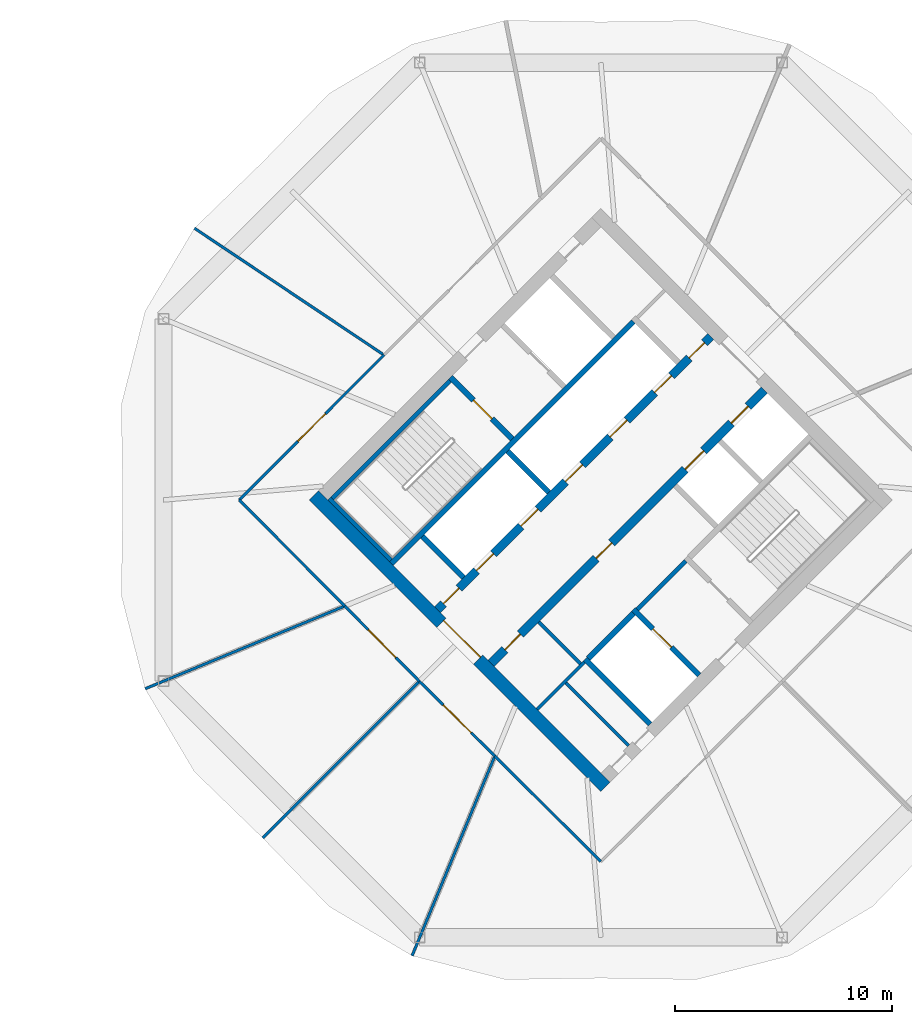
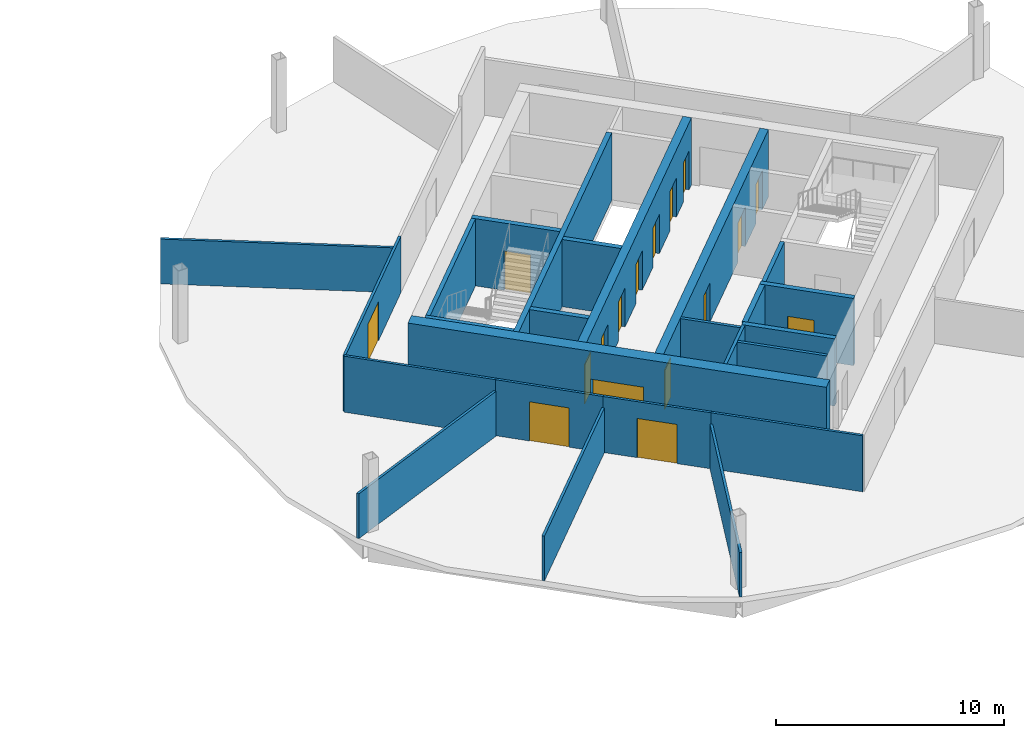
# One storey, part 7 of 10: 25 walls, 17 doors, 17 openings.
"""IFC4 building model written with IfcOpenShell, lengths in metres."""

from ifc_helpers import new_model, si_unit, direction, frame, frame_2d, origin, place, context, subcontext, project, spatial, rectangle, extrude, material, layer, layer_set, type_object, element, fill, save


model = new_model("IFC4")

# Units and contexts
model_context = context("Model", 3, precision=1e-05, world=origin(), true_north=direction((0.0, 1.0)))
body_context = subcontext(model_context, "Body", "Model", "MODEL_VIEW")
ifc_project = project(units=[si_unit("LENGTHUNIT", "METRE"), si_unit("AREAUNIT", "SQUARE_METRE"), si_unit("VOLUMEUNIT", "CUBIC_METRE"), si_unit("PLANEANGLEUNIT", "RADIAN"), si_unit("MASSUNIT", "GRAM", prefix="KILO")], contexts=[model_context])

# Site, building, storey
site_placement = place(None, origin())
site = spatial("IfcSite", under=ifc_project, at=site_placement, CompositionType="ELEMENT")
building_placement = place(site_placement, origin())
building = spatial("IfcBuilding", under=site, at=building_placement, Name="Ogive Gate Towers", CompositionType="ELEMENT")
storey_placement = place(building_placement, frame((0.0, 0.0, 169.5)))
storey = spatial("IfcBuildingStorey", under=building, at=storey_placement, Name="L40", CompositionType="ELEMENT", Elevation=169.5)

# Wall
ifc_material_1 = material(Name="Masonry blockwork", Category="masonry")
ifc_layer_1 = layer(ifc_material_1, 0.199951171875)
ifc_layer_set_1 = layer_set([ifc_layer_1], Name="Blockwork wall 200 mm")
wall_type_1 = type_object("IfcWallType", Name="Blockwork wall 200 mm", PredefinedType="PARTITIONING", material=ifc_layer_set_1)
wall_1_placement = place(storey_placement, frame((37.679443359375, -5.0380859375, 0.0), z_axis=(0.0, 0.0, 1.0), x_axis=(0.707106781187, 0.707106781187, 0.0)))
element("IfcWall", 1, at=wall_1_placement, inside=storey, type_object=wall_type_1, Name="T2 L40 Blockwork wall 200 mm", PredefinedType="PARTITIONING", context=body_context, shape_type="SweptSolid", body=[
    extrude(rectangle(XDim=3.14990234375, YDim=0.199951171875, at=frame_2d((1.574951171875, 0.0))), origin(), (0.0, 0.0, 1.0), 3.60009765625),
])

# Wall, opening, door
ifc_material_2 = material(Name="Concrete C60/75", Category="concrete")
ifc_layer_2 = layer(ifc_material_2, 0.60009765625)
ifc_layer_set_2 = layer_set([ifc_layer_2], Name="Core wall 600 mm")
wall_type_2 = type_object("IfcWallType", Name="Core wall 600 mm", PredefinedType="SHEAR", material=ifc_layer_set_2)
wall_2_placement = place(storey_placement, frame((36.212158203125, -13.222900390625, 0.0), z_axis=(0.0, 0.0, 1.0), x_axis=(-0.707106781187, 0.707106781187, 0.0)))
wall_2 = element("IfcWall", 2, at=wall_2_placement, inside=storey, type_object=wall_type_2, Name="T2 L40 Core wall 600 mm", PredefinedType="SHEAR", context=body_context, shape_type="SweptSolid", body=[
    extrude(rectangle(XDim=19.0, YDim=0.60009765625, at=frame_2d((9.5, 0.0))), origin(), (0.0, 0.0, 1.0), 3.60009765625),
])
opening_1_placement = place(wall_2_placement, frame((8.300048828125, 0.0, 0.0)))
opening_1 = element("IfcOpeningElement", 3, at=opening_1_placement, cuts=wall_2, Name="Opening KD-T2-L40-01", PredefinedType="OPENING", context=body_context, shape_type="SweptSolid", body=[
    extrude(rectangle(XDim=2.39990234375, YDim=2.10009765625, at=frame_2d((1.199951171875, 1.050048828125))), frame((0.0, 0.31005859375, 0.0), z_axis=(0.0, -1.0, 0.0), x_axis=(1.0, 0.0, 0.0)), (0.0, 0.0, 1.0), 0.6201171875),
])
ifc_material_3 = material(Name="Steel fire door", Category="steel")
door_type_1 = type_object("IfcDoorType", Name="Core double door FD60S 2400 x 2100", OperationType="DOUBLE_DOOR_SINGLE_SWING", PredefinedType="DOOR", material=ifc_material_3)
door_1_placement = place(opening_1_placement, origin())
door_1 = element("IfcDoor", 4, at=door_1_placement, inside=storey, type_object=door_type_1, Name="T2 L40 Core door double", OperationType="DOUBLE_DOOR_SINGLE_SWING", OverallHeight=2.10009765625, OverallWidth=2.39990234375, PredefinedType="DOOR", context=body_context, shape_type="SweptSolid", body=[
    extrude(rectangle(XDim=2.39990234375, YDim=2.10009765625, at=frame_2d((1.199951171875, 1.050048828125))), frame((0.0, -0.125, 0.0), z_axis=(0.0, -1.0, 0.0), x_axis=(1.0, 0.0, 0.0)), (0.0, 0.0, 1.0), 0.050048828125),
])
fill(opening_1, door_1)

# Walls
ifc_material_4 = material(Name="Gypsum board partition")
ifc_layer_3 = layer(ifc_material_4, 0.125)
ifc_layer_set_3 = layer_set([ifc_layer_3], Name="Partition 125")
wall_type_3 = type_object("IfcWallType", Name="Partition 125", PredefinedType="PARTITIONING", material=ifc_layer_set_3)
wall_3_placement = place(storey_placement, frame((17.271728515625, 12.5234375, 0.0), z_axis=(0.0, 0.0, 1.0), x_axis=(0.831276473527, -0.555859176914, 0.0)))
element("IfcWall", 5, at=wall_3_placement, inside=storey, type_object=wall_type_3, Name="Partition T2-L40-004", PredefinedType="PARTITIONING", context=body_context, shape_type="SweptSolid", body=[
    extrude(rectangle(XDim=10.44677734375, YDim=0.125, at=frame_2d((5.223388671875, 0.0))), origin(), (0.0, 0.0, 1.0), 2.39990234375),
])
wall_4_placement = place(storey_placement, frame((15.000244140625, -8.698486328125, 0.0), z_axis=(0.0, 0.0, 1.0), x_axis=(0.923873408778, 0.382698216031, 0.0)))
element("IfcWall", 6, at=wall_4_placement, inside=storey, type_object=wall_type_3, Name="Partition T2-L40-005", PredefinedType="PARTITIONING", context=body_context, shape_type="SweptSolid", body=[
    extrude(rectangle(XDim=9.896484375, YDim=0.125, at=frame_2d((4.9482421875, 0.0))), origin(), (0.0, 0.0, 1.0), 2.39990234375),
])
wall_5_placement = place(storey_placement, frame((20.423095703125, -15.576904296875, 0.0), z_axis=(0.0, 0.0, 1.0), x_axis=(0.707106781187, 0.707106781187, 0.0)))
element("IfcWall", 7, at=wall_5_placement, inside=storey, type_object=wall_type_3, Name="Partition T2-L40-006", PredefinedType="PARTITIONING", context=body_context, shape_type="SweptSolid", body=[
    extrude(rectangle(XDim=10.146728515625, YDim=0.125, at=frame_2d((5.0732421875, 0.0))), origin(), (0.0, 0.0, 1.0), 2.39990234375),
])
wall_6_placement = place(storey_placement, frame((27.301513671875, -20.999755859375, 0.0), z_axis=(0.0, 0.0, 1.0), x_axis=(0.382698216031, 0.923873408778, 0.0)))
element("IfcWall", 8, at=wall_6_placement, inside=storey, type_object=wall_type_3, Name="Partition T2-L40-007", PredefinedType="PARTITIONING", context=body_context, shape_type="SweptSolid", body=[
    extrude(rectangle(XDim=9.896484375, YDim=0.125, at=frame_2d((4.9482421875, 0.0))), origin(), (0.0, 0.0, 1.0), 2.39990234375),
])

# Wall, opening, door
wall_7_placement = place(storey_placement, frame((26.007568359375, 6.681884765625, 0.0), z_axis=(0.0, 0.0, 1.0), x_axis=(-0.706317463053, -0.707895219214, 0.0)))
wall_7 = element("IfcWall", 9, at=wall_7_placement, inside=storey, type_object=wall_type_3, Name="Partition T2-L40-012", PredefinedType="PARTITIONING", context=body_context, shape_type="SweptSolid", body=[
    extrude(rectangle(XDim=9.439208984375, YDim=0.125, at=frame_2d((4.7197265625, 0.0))), origin(), (0.0, 0.0, 1.0), 3.0),
])
opening_2_placement = place(wall_7_placement, frame((3.820068359375, 0.0, 0.0)))
opening_2 = element("IfcOpeningElement", 10, at=opening_2_placement, cuts=wall_7, Name="Opening T2-L40-D03", PredefinedType="OPENING", context=body_context, shape_type="SweptSolid", body=[
    extrude(rectangle(XDim=1.800048828125, YDim=2.10009765625, at=frame_2d((0.89990234375, 1.050048828125))), frame((0.0, 0.072509765625, 0.0), z_axis=(0.0, -1.0, 0.0), x_axis=(1.0, 0.0, 0.0)), (0.0, 0.0, 1.0), 0.14501953125),
])
ifc_material_5 = material(Name="Timber door", Category="wood")
door_type_2 = type_object("IfcDoorType", Name="Door pair 1800", OperationType="NOTDEFINED", PredefinedType="DOOR", material=ifc_material_5)
door_2_placement = place(opening_2_placement, origin())
door_2 = element("IfcDoor", 11, at=door_2_placement, inside=storey, type_object=door_type_2, Name="Door T2-L40-D03", OperationType="DOUBLE_DOOR_DOUBLE_SWING", OverallHeight=2.10009765625, OverallWidth=1.800048828125, PredefinedType="DOOR", context=body_context, shape_type="SweptSolid", body=[
    extrude(rectangle(XDim=1.800048828125, YDim=2.10009765625, at=frame_2d((0.89990234375, 1.050048828125))), frame((0.0, 0.02490234375, 0.0), z_axis=(0.0, -1.0, 0.0), x_axis=(1.0, 0.0, 0.0)), (0.0, 0.0, 1.0), 0.050048828125),
])
fill(opening_2, door_2)

# Wall
wall_8_placement = place(storey_placement, frame((19.340576171875, 0.0, 0.0), z_axis=(0.0, 0.0, 1.0), x_axis=(0.705173764492, -0.709034527983, 0.0)))
element("IfcWall", 12, at=wall_8_placement, inside=storey, type_object=wall_type_3, Name="Partition T2-L40-013", PredefinedType="PARTITIONING", context=body_context, shape_type="SweptSolid", body=[
    extrude(rectangle(XDim=6.892822265625, YDim=0.125, at=frame_2d((3.4462890625, 0.0))), origin(), (0.0, 0.0, 1.0), 3.0),
])

# Wall, opening, door
wall_9_placement = place(storey_placement, frame((24.201171875, -4.88720703125, 0.0), z_axis=(0.0, 0.0, 1.0), x_axis=(0.70405301557, -0.710147415166, 0.0)))
wall_9 = element("IfcWall", 13, at=wall_9_placement, inside=storey, type_object=wall_type_3, Name="Partition T2-L40-014", PredefinedType="PARTITIONING", context=body_context, shape_type="SweptSolid", body=[
    extrude(rectangle(XDim=4.88720703125, YDim=0.125, at=frame_2d((2.443603515625, 0.0))), origin(), (0.0, 0.0, 1.0), 3.0),
])
opening_3_placement = place(wall_9_placement, frame((1.5439453125, 0.0, 0.0)))
opening_3 = element("IfcOpeningElement", 14, at=opening_3_placement, cuts=wall_9, Name="Opening T2-L40-D04", PredefinedType="OPENING", context=body_context, shape_type="SweptSolid", body=[
    extrude(rectangle(XDim=1.800048828125, YDim=2.10009765625, at=frame_2d((0.89990234375, 1.050048828125))), frame((0.0, 0.072509765625, 0.0), z_axis=(0.0, -1.0, 0.0), x_axis=(1.0, 0.0, 0.0)), (0.0, 0.0, 1.0), 0.14501953125),
])
door_3_placement = place(opening_3_placement, origin())
door_3 = element("IfcDoor", 15, at=door_3_placement, inside=storey, type_object=door_type_2, Name="Door T2-L40-D04", OperationType="DOUBLE_DOOR_DOUBLE_SWING", OverallHeight=2.10009765625, OverallWidth=1.800048828125, PredefinedType="DOOR", context=body_context, shape_type="SweptSolid", body=[
    extrude(rectangle(XDim=1.800048828125, YDim=2.10009765625, at=frame_2d((0.89990234375, 1.050048828125))), frame((0.0, 0.02490234375, 0.0), z_axis=(0.0, -1.0, 0.0), x_axis=(1.0, 0.0, 0.0)), (0.0, 0.0, 1.0), 0.050048828125),
])
fill(opening_3, door_3)

wall_10_placement = place(storey_placement, frame((27.64208984375, -8.35791015625, 0.0), z_axis=(0.0, 0.0, 1.0), x_axis=(0.710147415166, -0.70405301557, 0.0)))
wall_10 = element("IfcWall", 16, at=wall_10_placement, inside=storey, type_object=wall_type_3, Name="Partition T2-L40-015", PredefinedType="PARTITIONING", context=body_context, shape_type="SweptSolid", body=[
    extrude(rectangle(XDim=4.88720703125, YDim=0.125, at=frame_2d((2.443603515625, 0.0))), origin(), (0.0, 0.0, 1.0), 3.0),
])
opening_4_placement = place(wall_10_placement, frame((1.5439453125, 0.0, 0.0)))
opening_4 = element("IfcOpeningElement", 17, at=opening_4_placement, cuts=wall_10, Name="Opening T2-L40-D05", PredefinedType="OPENING", context=body_context, shape_type="SweptSolid", body=[
    extrude(rectangle(XDim=1.800048828125, YDim=2.10009765625, at=frame_2d((0.89990234375, 1.050048828125))), frame((0.0, 0.072509765625, 0.0), z_axis=(0.0, -1.0, 0.0), x_axis=(1.0, 0.0, 0.0)), (0.0, 0.0, 1.0), 0.14501953125),
])
door_4_placement = place(opening_4_placement, origin())
door_4 = element("IfcDoor", 18, at=door_4_placement, inside=storey, type_object=door_type_2, Name="Door T2-L40-D05", OperationType="DOUBLE_DOOR_DOUBLE_SWING", OverallHeight=2.10009765625, OverallWidth=1.800048828125, PredefinedType="DOOR", context=body_context, shape_type="SweptSolid", body=[
    extrude(rectangle(XDim=1.800048828125, YDim=2.10009765625, at=frame_2d((0.89990234375, 1.050048828125))), frame((0.0, 0.02490234375, 0.0), z_axis=(0.0, -1.0, 0.0), x_axis=(1.0, 0.0, 0.0)), (0.0, 0.0, 1.0), 0.050048828125),
])
fill(opening_4, door_4)

# Walls
wall_11_placement = place(storey_placement, frame((31.11279296875, -11.798828125, 0.0), z_axis=(0.0, 0.0, 1.0), x_axis=(0.709034527983, -0.705173764492, 0.0)))
element("IfcWall", 19, at=wall_11_placement, inside=storey, type_object=wall_type_3, Name="Partition T2-L40-017", PredefinedType="PARTITIONING", context=body_context, shape_type="SweptSolid", body=[
    extrude(rectangle(XDim=6.892822265625, YDim=0.125, at=frame_2d((3.4462890625, 0.0))), origin(), (0.0, 0.0, 1.0), 3.0),
])
ifc_layer_4 = layer(ifc_material_4, 0.14990234375)
ifc_layer_set_4 = layer_set([ifc_layer_4], Name="Room partition 150 mm")
wall_type_4 = type_object("IfcWallType", Name="Room partition 150 mm", PredefinedType="PARTITIONING", material=ifc_layer_set_4)
wall_12_placement = place(storey_placement, frame((33.0654296875, -9.652099609375, 0.0), z_axis=(0.0, 0.0, 1.0), x_axis=(0.707146476181, 0.707067083964, 0.0)))
element("IfcWall", 20, at=wall_12_placement, inside=storey, type_object=wall_type_4, Name="T2 L40 Room partition 150 mm", PredefinedType="PARTITIONING", context=body_context, shape_type="SweptSolid", body=[
    extrude(rectangle(XDim=3.0751953125, YDim=0.14990234375, at=frame_2d((1.53759765625, 0.0))), origin(), (0.0, 0.0, 1.0), 3.60009765625),
])
wall_13_placement = place(storey_placement, frame((37.272705078125, -11.313720703125, 0.0), z_axis=(0.0, 0.0, 1.0), x_axis=(-0.707076824747, 0.707136736357, 0.0)))
element("IfcWall", 21, at=wall_13_placement, inside=storey, type_object=wall_type_4, Name="T2 L40 Room partition 150 mm", PredefinedType="PARTITIONING", context=body_context, shape_type="SweptSolid", body=[
    extrude(rectangle(XDim=4.074951171875, YDim=0.14990234375, at=frame_2d((2.03759765625, 0.0))), origin(), (0.0, 0.0, 1.0), 3.60009765625),
])
wall_14_placement = place(storey_placement, frame((35.06298828125, -7.54833984375, 0.0), z_axis=(0.0, 0.0, 1.0), x_axis=(-0.707106781187, 0.707106781187, 0.0)))
element("IfcWall", 22, at=wall_14_placement, inside=storey, type_object=wall_type_4, Name="T2 L40 Room partition 150 mm", PredefinedType="PARTITIONING", context=body_context, shape_type="SweptSolid", body=[
    extrude(rectangle(XDim=2.724853515625, YDim=0.14990234375, at=frame_2d((1.3623046875, 0.0))), origin(), (0.0, 0.0, 1.0), 3.60009765625),
])
ifc_layer_5 = layer(ifc_material_2, 0.25)
ifc_layer_set_5 = layer_set([ifc_layer_5], Name="Shaft wall 250 mm")
wall_type_5 = type_object("IfcWallType", Name="Shaft wall 250 mm", PredefinedType="SHEAR", material=ifc_layer_set_5)
wall_15_placement = place(storey_placement, frame((35.41650390625, -7.30078125, 0.0), z_axis=(0.0, 0.0, 1.0), x_axis=(0.707148157867, 0.707065402085, 0.0)))
element("IfcWall", 23, at=wall_15_placement, inside=storey, type_object=wall_type_5, Name="T2 L40 Shaft wall 250 mm", PredefinedType="SHEAR", context=body_context, shape_type="SweptSolid", body=[
    extrude(rectangle(XDim=2.9501953125, YDim=0.25, at=frame_2d((1.47509765625, 0.0))), origin(), (0.0, 0.0, 1.0), 3.60009765625),
])
wall_16_placement = place(storey_placement, frame((26.347900390625, -2.9345703125, 0.0), z_axis=(0.0, 0.0, 1.0), x_axis=(0.707106781187, 0.707106781187, 0.0)))
element("IfcWall", 24, at=wall_16_placement, inside=storey, type_object=wall_type_5, Name="T2 L40 Shaft wall 250 mm", PredefinedType="SHEAR", context=body_context, shape_type="SweptSolid", body=[
    extrude(rectangle(XDim=15.775146484375, YDim=0.25, at=frame_2d((7.8876953125, 0.0))), origin(), (0.0, 0.0, 1.0), 3.60009765625),
])
wall_17_placement = place(storey_placement, frame((29.67138671875, -3.57080078125, 0.0), z_axis=(0.0, 0.0, 1.0), x_axis=(-0.707152414227, 0.707061145201, 0.0)))
element("IfcWall", 25, at=wall_17_placement, inside=storey, type_object=wall_type_5, Name="T2 L40 Shaft wall 250 mm", PredefinedType="SHEAR", context=body_context, shape_type="SweptSolid", body=[
    extrude(rectangle(XDim=2.675048828125, YDim=0.25, at=frame_2d((1.33740234375, 0.0))), origin(), (0.0, 0.0, 1.0), 3.60009765625),
])
wall_18_placement = place(storey_placement, frame((38.2626953125, -10.32373046875, 0.0), z_axis=(0.0, 0.0, 1.0), x_axis=(-0.707106781187, 0.707106781187, 0.0)))
element("IfcWall", 26, at=wall_18_placement, inside=storey, type_object=wall_type_5, Name="T2 L40 Shaft wall 250 mm", PredefinedType="SHEAR", context=body_context, shape_type="SweptSolid", body=[
    extrude(rectangle(XDim=4.22509765625, YDim=0.25, at=frame_2d((2.112548828125, 0.0))), origin(), (0.0, 0.0, 1.0), 3.60009765625),
])

# Wall, opening, door
wall_19_placement = place(storey_placement, frame((40.525390625, -8.06103515625, 0.0), z_axis=(0.0, 0.0, 1.0), x_axis=(-0.707078225638, 0.707135335582, 0.0)))
wall_19 = element("IfcWall", 27, at=wall_19_placement, inside=storey, type_object=wall_type_5, Name="T2 L40 Shaft wall 250 mm", PredefinedType="SHEAR", context=body_context, shape_type="SweptSolid", body=[
    extrude(rectangle(XDim=4.27490234375, YDim=0.25, at=frame_2d((2.137451171875, 0.0))), origin(), (0.0, 0.0, 1.0), 3.60009765625),
])
opening_5_placement = place(wall_19_placement, frame((1.800048828125, 0.0, 0.0)))
opening_5 = element("IfcOpeningElement", 28, at=opening_5_placement, cuts=wall_19, Name="Opening LD-T2-L40-13", PredefinedType="OPENING", context=body_context, shape_type="SweptSolid", body=[
    extrude(rectangle(XDim=1.199951171875, YDim=2.10009765625, at=frame_2d((0.60009765625, 1.050048828125))), frame((0.0, 0.135009765625, 0.0), z_axis=(0.0, -1.0, 0.0), x_axis=(1.0, 0.0, 0.0)), (0.0, 0.0, 1.0), 0.27001953125),
])
ifc_material_6 = material(Name="Stainless steel landing door", Category="steel")
door_type_3 = type_object("IfcDoorType", Name="Landing door 1200 x 2100", OperationType="SLIDING_TO_LEFT", PredefinedType="DOOR", material=ifc_material_6)
door_5_placement = place(opening_5_placement, origin())
door_5 = element("IfcDoor", 29, at=door_5_placement, inside=storey, type_object=door_type_3, Name="T2 L40 Lift landing door FF2", OperationType="SLIDING_TO_LEFT", OverallHeight=2.10009765625, OverallWidth=1.199951171875, PredefinedType="DOOR", context=body_context, shape_type="SweptSolid", body=[
    extrude(rectangle(XDim=1.199951171875, YDim=2.10009765625, at=frame_2d((0.60009765625, 1.050048828125))), frame((0.0, 0.02490234375, 0.0), z_axis=(0.0, -1.0, 0.0), x_axis=(1.0, 0.0, 0.0)), (0.0, 0.0, 1.0), 0.050048828125),
])
fill(opening_5, door_5)

# Wall
wall_20_placement = place(storey_placement, frame((33.595703125, 0.353515625, 0.0), z_axis=(0.0, 0.0, 1.0), x_axis=(-0.707061145201, 0.707152414227, 0.0)))
element("IfcWall", 30, at=wall_20_placement, inside=storey, type_object=wall_type_5, Name="T2 L40 Shaft wall 250 mm", PredefinedType="SHEAR", context=body_context, shape_type="SweptSolid", body=[
    extrude(rectangle(XDim=2.675048828125, YDim=0.25, at=frame_2d((1.33740234375, 0.0))), origin(), (0.0, 0.0, 1.0), 3.60009765625),
])

# Wall, opening, door
wall_21_placement = place(storey_placement, frame((31.91650390625, 2.810791015625, 0.0), z_axis=(0.0, 0.0, 1.0), x_axis=(-0.707106781187, 0.707106781187, 0.0)))
wall_21 = element("IfcWall", 31, at=wall_21_placement, inside=storey, type_object=wall_type_5, Name="T2 L40 Shaft wall 250 mm", PredefinedType="SHEAR", context=body_context, shape_type="SweptSolid", body=[
    extrude(rectangle(XDim=4.025146484375, YDim=0.25, at=frame_2d((2.0126953125, 0.0))), origin(), (0.0, 0.0, 1.0), 3.60009765625),
])
opening_6_placement = place(wall_21_placement, frame((1.324951171875, 0.0, 0.0)))
opening_6 = element("IfcOpeningElement", 32, at=opening_6_placement, cuts=wall_21, Name="Opening KD-T2-L40-16", PredefinedType="OPENING", context=body_context, shape_type="SweptSolid", body=[
    extrude(rectangle(XDim=1.199951171875, YDim=2.10009765625, at=frame_2d((0.60009765625, 1.050048828125))), frame((0.0, 0.135009765625, 0.0), z_axis=(0.0, -1.0, 0.0), x_axis=(1.0, 0.0, 0.0)), (0.0, 0.0, 1.0), 0.27001953125),
])
door_type_4 = type_object("IfcDoorType", Name="Core door FD60S 1200 x 2100", OperationType="NOTDEFINED", PredefinedType="DOOR", material=ifc_material_3)
door_6_placement = place(opening_6_placement, origin())
door_6 = element("IfcDoor", 33, at=door_6_placement, inside=storey, type_object=door_type_4, Name="T2 L40 Stair door", OperationType="SINGLE_SWING_LEFT", OverallHeight=2.10009765625, OverallWidth=1.199951171875, PredefinedType="DOOR", context=body_context, shape_type="SweptSolid", body=[
    extrude(rectangle(XDim=1.199951171875, YDim=2.10009765625, at=frame_2d((0.60009765625, 1.050048828125))), frame((0.0, 0.02490234375, 0.0), z_axis=(0.0, -1.0, 0.0), x_axis=(1.0, 0.0, 0.0)), (0.0, 0.0, 1.0), 0.050048828125),
])
fill(opening_6, door_6)

# Wall, openings, doors
ifc_layer_6 = layer(ifc_material_2, 0.39990234375)
ifc_layer_set_6 = layer_set([ifc_layer_6], Name="Spine wall 400 mm")
wall_type_6 = type_object("IfcWallType", Name="Spine wall 400 mm", PredefinedType="SHEAR", material=ifc_layer_set_6)
wall_22_placement = place(storey_placement, frame((30.944091796875, -7.53076171875, 0.0), z_axis=(0.0, 0.0, 1.0), x_axis=(0.707106781187, 0.707106781187, 0.0)))
wall_22 = element("IfcWall", 34, at=wall_22_placement, inside=storey, type_object=wall_type_6, Name="T2 L40 Spine wall 400 mm", PredefinedType="SHEAR", context=body_context, shape_type="SweptSolid", body=[
    extrude(rectangle(XDim=17.80029296875, YDim=0.39990234375, at=frame_2d((8.900146484375, 0.0))), origin(), (0.0, 0.0, 1.0), 3.60009765625),
])
opening_7_placement = place(wall_22_placement, frame((12.64990234375, 0.0, 0.0)))
opening_7 = element("IfcOpeningElement", 35, at=opening_7_placement, cuts=wall_22, Name="Opening LD-T2-L40-10", PredefinedType="OPENING", context=body_context, shape_type="SweptSolid", body=[
    extrude(rectangle(XDim=1.199951171875, YDim=2.10009765625, at=frame_2d((0.60009765625, 1.050048828125))), frame((0.0, 0.2099609375, 0.0), z_axis=(0.0, -1.0, 0.0), x_axis=(1.0, 0.0, 0.0)), (0.0, 0.0, 1.0), 0.419921875),
])
opening_8_placement = place(wall_22_placement, frame((15.64990234375, 0.0, 0.0)))
opening_8 = element("IfcOpeningElement", 36, at=opening_8_placement, cuts=wall_22, Name="Opening LD-T2-L40-11", PredefinedType="OPENING", context=body_context, shape_type="SweptSolid", body=[
    extrude(rectangle(XDim=1.10009765625, YDim=2.10009765625, at=frame_2d((0.550048828125, 1.050048828125))), frame((0.0, 0.2099609375, 0.0), z_axis=(0.0, -1.0, 0.0), x_axis=(1.0, 0.0, 0.0)), (0.0, 0.0, 1.0), 0.419921875),
])
opening_9_placement = place(wall_22_placement, frame((0.89990234375, 0.0, 0.0)))
opening_9 = element("IfcOpeningElement", 37, at=opening_9_placement, cuts=wall_22, Name="Opening KD-T2-L40-14", PredefinedType="OPENING", context=body_context, shape_type="SweptSolid", body=[
    extrude(rectangle(XDim=1.0, YDim=2.10009765625, at=frame_2d((0.5, 1.050048828125))), frame((0.0, 0.2099609375, 0.0), z_axis=(0.0, -1.0, 0.0), x_axis=(1.0, 0.0, 0.0)), (0.0, 0.0, 1.0), 0.419921875),
])
opening_10_placement = place(wall_22_placement, frame((6.85009765625, 0.0, 0.0)))
opening_10 = element("IfcOpeningElement", 38, at=opening_10_placement, cuts=wall_22, Name="Opening KD-T2-L40-15", PredefinedType="OPENING", context=body_context, shape_type="SweptSolid", body=[
    extrude(rectangle(XDim=1.0, YDim=2.10009765625, at=frame_2d((0.5, 1.050048828125))), frame((0.0, 0.2099609375, 0.0), z_axis=(0.0, -1.0, 0.0), x_axis=(1.0, 0.0, 0.0)), (0.0, 0.0, 1.0), 0.419921875),
])
door_type_5 = type_object("IfcDoorType", Name="Core door FD60S 1000 x 2100", OperationType="NOTDEFINED", PredefinedType="DOOR", material=ifc_material_3)
door_7_placement = place(opening_9_placement, origin())
door_7 = element("IfcDoor", 39, at=door_7_placement, inside=storey, type_object=door_type_5, Name="T2 L40 Core door", OperationType="SINGLE_SWING_LEFT", OverallHeight=2.10009765625, OverallWidth=1.0, PredefinedType="DOOR", context=body_context, shape_type="SweptSolid", body=[
    extrude(rectangle(XDim=1.0, YDim=2.10009765625, at=frame_2d((0.5, 1.050048828125))), frame((0.0, 0.02490234375, 0.0), z_axis=(0.0, -1.0, 0.0), x_axis=(1.0, 0.0, 0.0)), (0.0, 0.0, 1.0), 0.050048828125),
])
fill(opening_9, door_7)
door_8_placement = place(opening_10_placement, origin())
door_8 = element("IfcDoor", 40, at=door_8_placement, inside=storey, type_object=door_type_5, Name="T2 L40 Core door", OperationType="SINGLE_SWING_RIGHT", OverallHeight=2.10009765625, OverallWidth=1.0, PredefinedType="DOOR", context=body_context, shape_type="SweptSolid", body=[
    extrude(rectangle(XDim=1.0, YDim=2.10009765625, at=frame_2d((0.5, 1.050048828125))), frame((0.0, 0.02490234375, 0.0), z_axis=(0.0, -1.0, 0.0), x_axis=(1.0, 0.0, 0.0)), (0.0, 0.0, 1.0), 0.050048828125),
])
fill(opening_10, door_8)
door_type_6 = type_object("IfcDoorType", Name="Landing door 1100 x 2100", OperationType="SLIDING_TO_LEFT", PredefinedType="DOOR", material=ifc_material_6)
door_9_placement = place(opening_8_placement, origin())
door_9 = element("IfcDoor", 41, at=door_9_placement, inside=storey, type_object=door_type_6, Name="T2 L40 Lift landing door B6", OperationType="SLIDING_TO_LEFT", OverallHeight=2.10009765625, OverallWidth=1.10009765625, PredefinedType="DOOR", context=body_context, shape_type="SweptSolid", body=[
    extrude(rectangle(XDim=1.10009765625, YDim=2.10009765625, at=frame_2d((0.550048828125, 1.050048828125))), frame((0.0, 0.02490234375, 0.0), z_axis=(0.0, -1.0, 0.0), x_axis=(1.0, 0.0, 0.0)), (0.0, 0.0, 1.0), 0.050048828125),
])
fill(opening_8, door_9)
door_10_placement = place(opening_7_placement, origin())
door_10 = element("IfcDoor", 42, at=door_10_placement, inside=storey, type_object=door_type_3, Name="T2 L40 Lift landing door SVC", OperationType="SLIDING_TO_LEFT", OverallHeight=2.10009765625, OverallWidth=1.199951171875, PredefinedType="DOOR", context=body_context, shape_type="SweptSolid", body=[
    extrude(rectangle(XDim=1.199951171875, YDim=2.10009765625, at=frame_2d((0.60009765625, 1.050048828125))), frame((0.0, 0.02490234375, 0.0), z_axis=(0.0, -1.0, 0.0), x_axis=(1.0, 0.0, 0.0)), (0.0, 0.0, 1.0), 0.050048828125),
])
fill(opening_7, door_10)

wall_23_placement = place(storey_placement, frame((28.46923828125, -5.055908203125, 0.0), z_axis=(0.0, 0.0, 1.0), x_axis=(0.707106781187, 0.707106781187, 0.0)))
wall_23 = element("IfcWall", 43, at=wall_23_placement, inside=storey, type_object=wall_type_6, Name="T2 L40 Spine wall 400 mm", PredefinedType="SHEAR", context=body_context, shape_type="SweptSolid", body=[
    extrude(rectangle(XDim=17.80029296875, YDim=0.39990234375, at=frame_2d((8.900146484375, 0.0))), origin(), (0.0, 0.0, 1.0), 3.60009765625),
])
opening_11_placement = place(wall_23_placement, frame((0.39990234375, 0.0, 0.0)))
opening_11 = element("IfcOpeningElement", 44, at=opening_11_placement, cuts=wall_23, Name="Opening KD-T2-L40-03", PredefinedType="OPENING", context=body_context, shape_type="SweptSolid", body=[
    extrude(rectangle(XDim=1.0, YDim=2.10009765625, at=frame_2d((0.5, 1.050048828125))), frame((0.0, 0.2099609375, 0.0), z_axis=(0.0, -1.0, 0.0), x_axis=(1.0, 0.0, 0.0)), (0.0, 0.0, 1.0), 0.419921875),
])
opening_12_placement = place(wall_23_placement, frame((2.550048828125, 0.0, 0.0)))
opening_12 = element("IfcOpeningElement", 45, at=opening_12_placement, cuts=wall_23, Name="Opening LD-T2-L40-04", PredefinedType="OPENING", context=body_context, shape_type="SweptSolid", body=[
    extrude(rectangle(XDim=1.10009765625, YDim=2.10009765625, at=frame_2d((0.550048828125, 1.050048828125))), frame((0.0, 0.2099609375, 0.0), z_axis=(0.0, -1.0, 0.0), x_axis=(1.0, 0.0, 0.0)), (0.0, 0.0, 1.0), 0.419921875),
])
opening_13_placement = place(wall_23_placement, frame((5.449951171875, 0.0, 0.0)))
opening_13 = element("IfcOpeningElement", 46, at=opening_13_placement, cuts=wall_23, Name="Opening LD-T2-L40-05", PredefinedType="OPENING", context=body_context, shape_type="SweptSolid", body=[
    extrude(rectangle(XDim=1.10009765625, YDim=2.10009765625, at=frame_2d((0.550048828125, 1.050048828125))), frame((0.0, 0.2099609375, 0.0), z_axis=(0.0, -1.0, 0.0), x_axis=(1.0, 0.0, 0.0)), (0.0, 0.0, 1.0), 0.419921875),
])
opening_14_placement = place(wall_23_placement, frame((8.35009765625, 0.0, 0.0)))
opening_14 = element("IfcOpeningElement", 47, at=opening_14_placement, cuts=wall_23, Name="Opening LD-T2-L40-06", PredefinedType="OPENING", context=body_context, shape_type="SweptSolid", body=[
    extrude(rectangle(XDim=1.10009765625, YDim=2.10009765625, at=frame_2d((0.550048828125, 1.050048828125))), frame((0.0, 0.2099609375, 0.0), z_axis=(0.0, -1.0, 0.0), x_axis=(1.0, 0.0, 0.0)), (0.0, 0.0, 1.0), 0.419921875),
])
opening_15_placement = place(wall_23_placement, frame((11.25, 0.0, 0.0)))
opening_15 = element("IfcOpeningElement", 48, at=opening_15_placement, cuts=wall_23, Name="Opening LD-T2-L40-07", PredefinedType="OPENING", context=body_context, shape_type="SweptSolid", body=[
    extrude(rectangle(XDim=1.10009765625, YDim=2.10009765625, at=frame_2d((0.550048828125, 1.050048828125))), frame((0.0, 0.2099609375, 0.0), z_axis=(0.0, -1.0, 0.0), x_axis=(1.0, 0.0, 0.0)), (0.0, 0.0, 1.0), 0.419921875),
])
opening_16_placement = place(wall_23_placement, frame((14.14990234375, 0.0, 0.0)))
opening_16 = element("IfcOpeningElement", 49, at=opening_16_placement, cuts=wall_23, Name="Opening LD-T2-L40-08", PredefinedType="OPENING", context=body_context, shape_type="SweptSolid", body=[
    extrude(rectangle(XDim=1.10009765625, YDim=2.10009765625, at=frame_2d((0.550048828125, 1.050048828125))), frame((0.0, 0.2099609375, 0.0), z_axis=(0.0, -1.0, 0.0), x_axis=(1.0, 0.0, 0.0)), (0.0, 0.0, 1.0), 0.419921875),
])
opening_17_placement = place(wall_23_placement, frame((16.39990234375, 0.0, 0.0)))
opening_17 = element("IfcOpeningElement", 50, at=opening_17_placement, cuts=wall_23, Name="Opening KD-T2-L40-09", PredefinedType="OPENING", context=body_context, shape_type="SweptSolid", body=[
    extrude(rectangle(XDim=1.0, YDim=2.10009765625, at=frame_2d((0.5, 1.050048828125))), frame((0.0, 0.2099609375, 0.0), z_axis=(0.0, -1.0, 0.0), x_axis=(1.0, 0.0, 0.0)), (0.0, 0.0, 1.0), 0.419921875),
])
door_11_placement = place(opening_11_placement, origin())
door_11 = element("IfcDoor", 51, at=door_11_placement, inside=storey, type_object=door_type_5, Name="T2 L40 Core door", OperationType="SINGLE_SWING_RIGHT", OverallHeight=2.10009765625, OverallWidth=1.0, PredefinedType="DOOR", context=body_context, shape_type="SweptSolid", body=[
    extrude(rectangle(XDim=1.0, YDim=2.10009765625, at=frame_2d((0.5, 1.050048828125))), frame((0.0, 0.02490234375, 0.0), z_axis=(0.0, -1.0, 0.0), x_axis=(1.0, 0.0, 0.0)), (0.0, 0.0, 1.0), 0.050048828125),
])
fill(opening_11, door_11)
door_12_placement = place(opening_17_placement, origin())
door_12 = element("IfcDoor", 52, at=door_12_placement, inside=storey, type_object=door_type_5, Name="T2 L40 Core door", OperationType="SINGLE_SWING_RIGHT", OverallHeight=2.10009765625, OverallWidth=1.0, PredefinedType="DOOR", context=body_context, shape_type="SweptSolid", body=[
    extrude(rectangle(XDim=1.0, YDim=2.10009765625, at=frame_2d((0.5, 1.050048828125))), frame((0.0, 0.02490234375, 0.0), z_axis=(0.0, -1.0, 0.0), x_axis=(1.0, 0.0, 0.0)), (0.0, 0.0, 1.0), 0.050048828125),
])
fill(opening_17, door_12)
door_13_placement = place(opening_12_placement, origin())
door_13 = element("IfcDoor", 53, at=door_13_placement, inside=storey, type_object=door_type_6, Name="T2 L40 Lift landing door B1", OperationType="SLIDING_TO_LEFT", OverallHeight=2.10009765625, OverallWidth=1.10009765625, PredefinedType="DOOR", context=body_context, shape_type="SweptSolid", body=[
    extrude(rectangle(XDim=1.10009765625, YDim=2.10009765625, at=frame_2d((0.550048828125, 1.050048828125))), frame((0.0, 0.02490234375, 0.0), z_axis=(0.0, -1.0, 0.0), x_axis=(1.0, 0.0, 0.0)), (0.0, 0.0, 1.0), 0.050048828125),
])
fill(opening_12, door_13)
door_14_placement = place(opening_13_placement, origin())
door_14 = element("IfcDoor", 54, at=door_14_placement, inside=storey, type_object=door_type_6, Name="T2 L40 Lift landing door B2", OperationType="SLIDING_TO_LEFT", OverallHeight=2.10009765625, OverallWidth=1.10009765625, PredefinedType="DOOR", context=body_context, shape_type="SweptSolid", body=[
    extrude(rectangle(XDim=1.10009765625, YDim=2.10009765625, at=frame_2d((0.550048828125, 1.050048828125))), frame((0.0, 0.02490234375, 0.0), z_axis=(0.0, -1.0, 0.0), x_axis=(1.0, 0.0, 0.0)), (0.0, 0.0, 1.0), 0.050048828125),
])
fill(opening_13, door_14)
door_15_placement = place(opening_14_placement, origin())
door_15 = element("IfcDoor", 55, at=door_15_placement, inside=storey, type_object=door_type_6, Name="T2 L40 Lift landing door B3", OperationType="SLIDING_TO_LEFT", OverallHeight=2.10009765625, OverallWidth=1.10009765625, PredefinedType="DOOR", context=body_context, shape_type="SweptSolid", body=[
    extrude(rectangle(XDim=1.10009765625, YDim=2.10009765625, at=frame_2d((0.550048828125, 1.050048828125))), frame((0.0, 0.02490234375, 0.0), z_axis=(0.0, -1.0, 0.0), x_axis=(1.0, 0.0, 0.0)), (0.0, 0.0, 1.0), 0.050048828125),
])
fill(opening_14, door_15)
door_16_placement = place(opening_15_placement, origin())
door_16 = element("IfcDoor", 56, at=door_16_placement, inside=storey, type_object=door_type_6, Name="T2 L40 Lift landing door B4", OperationType="SLIDING_TO_LEFT", OverallHeight=2.10009765625, OverallWidth=1.10009765625, PredefinedType="DOOR", context=body_context, shape_type="SweptSolid", body=[
    extrude(rectangle(XDim=1.10009765625, YDim=2.10009765625, at=frame_2d((0.550048828125, 1.050048828125))), frame((0.0, 0.02490234375, 0.0), z_axis=(0.0, -1.0, 0.0), x_axis=(1.0, 0.0, 0.0)), (0.0, 0.0, 1.0), 0.050048828125),
])
fill(opening_15, door_16)
door_17_placement = place(opening_16_placement, origin())
door_17 = element("IfcDoor", 57, at=door_17_placement, inside=storey, type_object=door_type_6, Name="T2 L40 Lift landing door B5", OperationType="SLIDING_TO_LEFT", OverallHeight=2.10009765625, OverallWidth=1.10009765625, PredefinedType="DOOR", context=body_context, shape_type="SweptSolid", body=[
    extrude(rectangle(XDim=1.10009765625, YDim=2.10009765625, at=frame_2d((0.550048828125, 1.050048828125))), frame((0.0, 0.02490234375, 0.0), z_axis=(0.0, -1.0, 0.0), x_axis=(1.0, 0.0, 0.0)), (0.0, 0.0, 1.0), 0.050048828125),
])
fill(opening_16, door_17)

# Walls
ifc_layer_7 = layer(ifc_material_2, 0.199951171875)
ifc_layer_set_7 = layer_set([ifc_layer_7], Name="Stair wall 200 mm")
wall_type_7 = type_object("IfcWallType", Name="Stair wall 200 mm", PredefinedType="SHEAR", material=ifc_layer_set_7)
wall_24_placement = place(storey_placement, frame((23.62548828125, 0.07080078125, 0.0), z_axis=(0.0, 0.0, 1.0), x_axis=(0.707122685701, 0.707090876314, 0.0)))
element("IfcWall", 58, at=wall_24_placement, inside=storey, type_object=wall_type_7, Name="T2 L40 Stair wall 200 mm", PredefinedType="SHEAR", context=body_context, shape_type="SweptSolid", body=[
    extrude(rectangle(XDim=7.675048828125, YDim=0.199951171875, at=frame_2d((3.83740234375, 0.0))), origin(), (0.0, 0.0, 1.0), 3.60009765625),
])
wall_25_placement = place(storey_placement, frame((26.330322265625, -2.775390625, 0.0), z_axis=(0.0, 0.0, 1.0), x_axis=(-0.707106781187, 0.707106781187, 0.0)))
element("IfcWall", 59, at=wall_25_placement, inside=storey, type_object=wall_type_7, Name="T2 L40 Stair wall 200 mm", PredefinedType="SHEAR", context=body_context, shape_type="SweptSolid", body=[
    extrude(rectangle(XDim=4.025146484375, YDim=0.199951171875, at=frame_2d((2.0126953125, 0.0))), origin(), (0.0, 0.0, 1.0), 3.60009765625),
])

save(model, "model.ifc")
